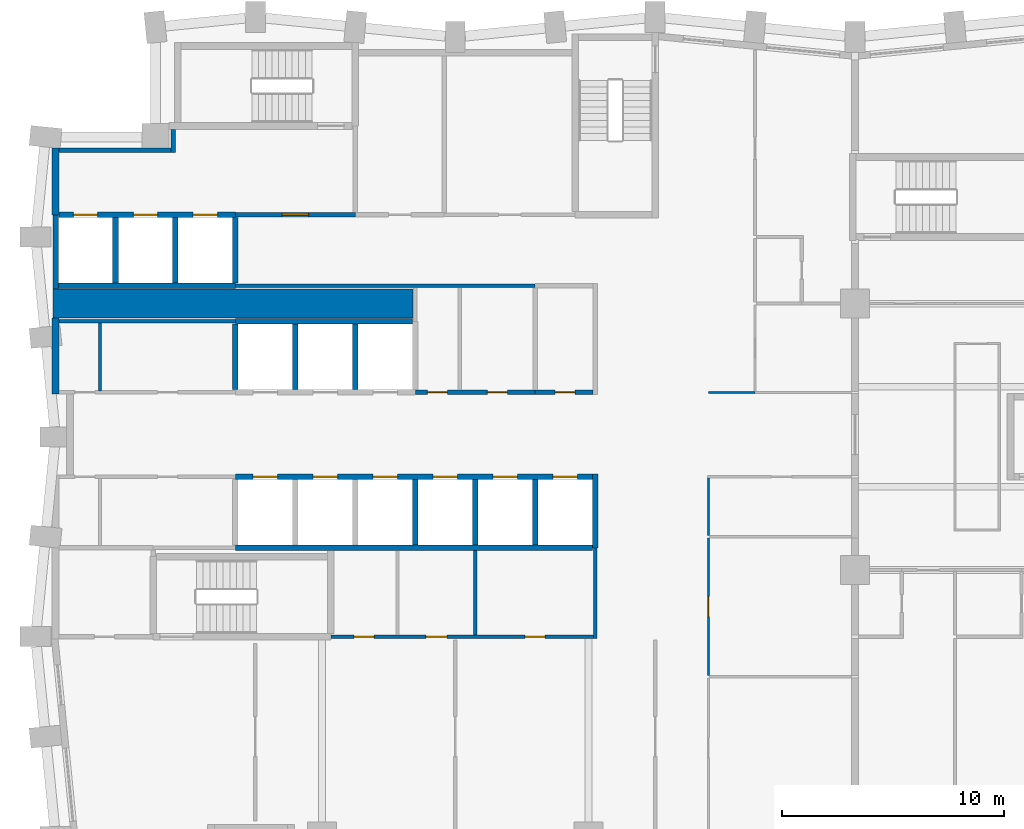
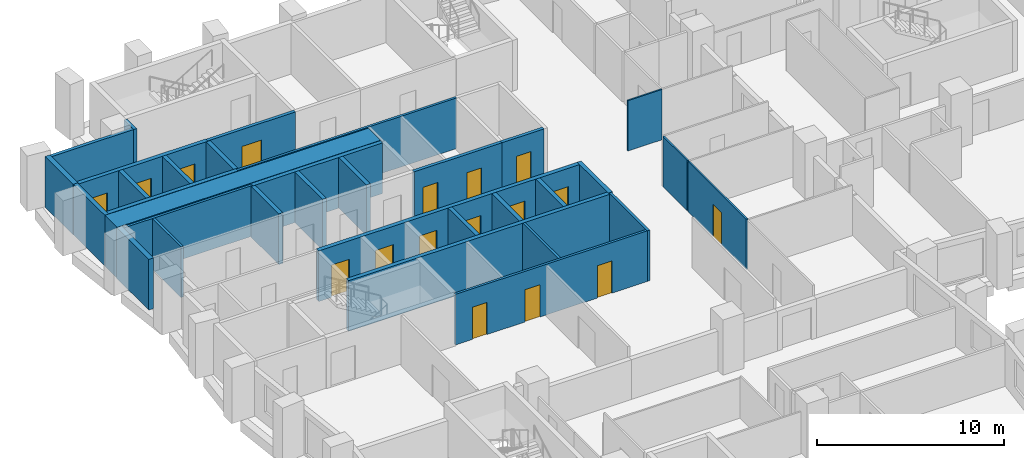
# One storey, part 6 of 13: 33 walls, 17 doors, 17 openings.
"""IFC4 building model written with IfcOpenShell, lengths in metres."""

from ifc_helpers import new_model, si_unit, direction, frame, frame_2d, origin, place, context, subcontext, project, spatial, rectangle, extrude, material, layer, layer_set, type_object, element, fill, save


model = new_model("IFC4")

# Units and contexts
model_context = context("Model", 3, precision=1e-05, world=origin(), true_north=direction((0.0, 1.0)))
body_context = subcontext(model_context, "Body", "Model", "MODEL_VIEW")
ifc_project = project(units=[si_unit("LENGTHUNIT", "METRE"), si_unit("AREAUNIT", "SQUARE_METRE"), si_unit("VOLUMEUNIT", "CUBIC_METRE"), si_unit("PLANEANGLEUNIT", "RADIAN"), si_unit("MASSUNIT", "GRAM", prefix="KILO")], contexts=[model_context])

# Site, building, storey
site_placement = place(None, origin())
site = spatial("IfcSite", under=ifc_project, at=site_placement, CompositionType="ELEMENT")
building_placement = place(site_placement, origin())
building = spatial("IfcBuilding", under=site, at=building_placement, Name="Brondeck Convention Tower", CompositionType="ELEMENT")
storey_placement = place(building_placement, frame((0.0, 0.0, 48.300048828125)))
storey = spatial("IfcBuildingStorey", under=building, at=storey_placement, Name="L09", CompositionType="ELEMENT", Elevation=48.300048828125)

# Wall, openings, doors
ifc_material_1 = material(Name="Concrete C80/95", Category="concrete")
ifc_layer_1 = layer(ifc_material_1, 0.14990234375)
ifc_layer_set_1 = layer_set([ifc_layer_1], Name="Core beam-seat wall 150 Concrete C80/95")
wall_type_1 = type_object("IfcWallType", Name="Core beam-seat wall 150 Concrete C80/95", PredefinedType="SHEAR", material=ifc_layer_set_1)
wall_1_placement = place(storey_placement, frame((12.39990234375, 36.0, 0.0), z_axis=(0.0, 0.0, 1.0), x_axis=(1.0, 0.0, 0.0)))
wall_1 = element("IfcWall", 1, at=wall_1_placement, inside=storey, type_object=wall_type_1, Name="L09 core wall", PredefinedType="SHEAR", context=body_context, shape_type="SweptSolid", body=[
    extrude(rectangle(XDim=11.8251953125, YDim=0.14990234375, at=frame_2d((5.91259765625, 0.0))), origin(), (0.0, 0.0, 1.0), 3.300048828125),
])
opening_1_placement = place(wall_1_placement, frame((1.050048828125, 0.0, 0.0)))
opening_1 = element("IfcOpeningElement", 2, at=opening_1_placement, cuts=wall_1, Name="Opening C09-03", PredefinedType="OPENING", context=body_context, shape_type="SweptSolid", body=[
    extrude(rectangle(XDim=0.89990234375, YDim=2.10009765625, at=frame_2d((0.449951171875, 1.050048828125))), frame((0.0, 0.0849609375, 0.0), z_axis=(0.0, -1.0, 0.0), x_axis=(1.0, 0.0, 0.0)), (0.0, 0.0, 1.0), 0.169921875),
])
opening_2_placement = place(wall_1_placement, frame((4.27490234375, 0.0, 0.0)))
opening_2 = element("IfcOpeningElement", 3, at=opening_2_placement, cuts=wall_1, Name="Opening C09-04", PredefinedType="OPENING", context=body_context, shape_type="SweptSolid", body=[
    extrude(rectangle(XDim=0.949951171875, YDim=2.10009765625, at=frame_2d((0.47509765625, 1.050048828125))), frame((0.0, 0.0849609375, 0.0), z_axis=(0.0, -1.0, 0.0), x_axis=(1.0, 0.0, 0.0)), (0.0, 0.0, 1.0), 0.169921875),
])
opening_3_placement = place(wall_1_placement, frame((8.75, 0.0, 0.0)))
opening_3 = element("IfcOpeningElement", 4, at=opening_3_placement, cuts=wall_1, Name="Opening C09-05", PredefinedType="OPENING", context=body_context, shape_type="SweptSolid", body=[
    extrude(rectangle(XDim=0.89990234375, YDim=2.10009765625, at=frame_2d((0.449951171875, 1.050048828125))), frame((0.0, 0.0849609375, 0.0), z_axis=(0.0, -1.0, 0.0), x_axis=(1.0, 0.0, 0.0)), (0.0, 0.0, 1.0), 0.169921875),
])
ifc_material_2 = material(Name="Steel fire door", Category="steel")
door_type_1 = type_object("IfcDoorType", Name="Room door 900x2100 EI 60", OperationType="NOTDEFINED", PredefinedType="DOOR", material=ifc_material_2)
door_1_placement = place(opening_1_placement, origin())
door_1 = element("IfcDoor", 5, at=door_1_placement, inside=storey, type_object=door_type_1, Name="L09 Room door FR-1", OperationType="SINGLE_SWING_RIGHT", OverallHeight=2.10009765625, OverallWidth=0.89990234375, PredefinedType="DOOR", context=body_context, shape_type="SweptSolid", body=[
    extrude(rectangle(XDim=0.89990234375, YDim=2.10009765625, at=frame_2d((0.449951171875, 1.050048828125))), frame((0.0, 0.02490234375, 0.0), z_axis=(0.0, -1.0, 0.0), x_axis=(1.0, 0.0, 0.0)), (0.0, 0.0, 1.0), 0.050048828125),
])
fill(opening_1, door_1)
door_2_placement = place(opening_3_placement, origin())
door_2 = element("IfcDoor", 6, at=door_2_placement, inside=storey, type_object=door_type_1, Name="L09 Room door FR-3", OperationType="SINGLE_SWING_RIGHT", OverallHeight=2.10009765625, OverallWidth=0.89990234375, PredefinedType="DOOR", context=body_context, shape_type="SweptSolid", body=[
    extrude(rectangle(XDim=0.89990234375, YDim=2.10009765625, at=frame_2d((0.449951171875, 1.050048828125))), frame((0.0, 0.02490234375, 0.0), z_axis=(0.0, -1.0, 0.0), x_axis=(1.0, 0.0, 0.0)), (0.0, 0.0, 1.0), 0.050048828125),
])
fill(opening_3, door_2)
door_type_2 = type_object("IfcDoorType", Name="Room door 950x2100 EI 60", OperationType="NOTDEFINED", PredefinedType="DOOR", material=ifc_material_2)
door_3_placement = place(opening_2_placement, origin())
door_3 = element("IfcDoor", 7, at=door_3_placement, inside=storey, type_object=door_type_2, Name="L09 Room door FR-2", OperationType="SINGLE_SWING_LEFT", OverallHeight=2.10009765625, OverallWidth=0.949951171875, PredefinedType="DOOR", context=body_context, shape_type="SweptSolid", body=[
    extrude(rectangle(XDim=0.949951171875, YDim=2.10009765625, at=frame_2d((0.47509765625, 1.050048828125))), frame((0.0, 0.02490234375, 0.0), z_axis=(0.0, -1.0, 0.0), x_axis=(1.0, 0.0, 0.0)), (0.0, 0.0, 1.0), 0.050048828125),
])
fill(opening_2, door_3)

# Walls
wall_2_placement = place(storey_placement, frame((24.300048828125, 35.925048828125, 0.0), z_axis=(0.0, 0.0, 1.0), x_axis=(0.0, 1.0, 0.0)))
element("IfcWall", 8, at=wall_2_placement, inside=storey, type_object=wall_type_1, Name="L09 core wall", PredefinedType="SHEAR", context=body_context, shape_type="SweptSolid", body=[
    extrude(rectangle(XDim=4.074951171875, YDim=0.14990234375, at=frame_2d((2.03759765625, 0.0))), origin(), (0.0, 0.0, 1.0), 3.300048828125),
])
ifc_layer_2 = layer(ifc_material_1, 0.300048828125)
ifc_layer_set_2 = layer_set([ifc_layer_2], Name="Core outer wall 300 Concrete C80/95")
wall_type_2 = type_object("IfcWallType", Name="Core outer wall 300 Concrete C80/95", PredefinedType="SHEAR", material=ifc_layer_set_2)
wall_3_placement = place(storey_placement, frame((0.0, 46.925048828125, 0.0), z_axis=(0.0, 0.0, 1.0), x_axis=(0.0, 1.0, 0.0)))
element("IfcWall", 9, at=wall_3_placement, inside=storey, type_object=wall_type_2, Name="L09 core wall", PredefinedType="SHEAR", context=body_context, shape_type="SweptSolid", body=[
    extrude(rectangle(XDim=3.425048828125, YDim=0.300048828125, at=frame_2d((1.71240234375, 0.0))), origin(), (0.0, 0.0, 1.0), 3.300048828125),
])
wall_4_placement = place(storey_placement, frame((0.0, 55.0, 0.0), z_axis=(0.0, 0.0, 1.0), x_axis=(0.0, 1.0, 0.0)))
element("IfcWall", 10, at=wall_4_placement, inside=storey, type_object=wall_type_2, Name="L09 core wall", PredefinedType="SHEAR", context=body_context, shape_type="SweptSolid", body=[
    extrude(rectangle(XDim=3.0, YDim=0.300048828125, at=frame_2d((1.5, 0.0))), origin(), (0.0, 0.0, 1.0), 3.300048828125),
])
ifc_material_3 = material(Name="Fire-rated gypsum board partition")
ifc_layer_3 = layer(ifc_material_3, 0.14990234375)
ifc_layer_set_3 = layer_set([ifc_layer_3], Name="Core partition 150 EI 60")
wall_type_3 = type_object("IfcWallType", Name="Core partition 150 EI 60", PredefinedType="PARTITIONING", material=ifc_layer_set_3)
wall_5_placement = place(storey_placement, frame((0.14990234375, 50.199951171875, 0.0), z_axis=(0.0, 0.0, 1.0), x_axis=(1.0, 0.0, 0.0)))
element("IfcWall", 11, at=wall_5_placement, inside=storey, type_object=wall_type_3, Name="L09 core wall", PredefinedType="PARTITIONING", context=body_context, shape_type="SweptSolid", body=[
    extrude(rectangle(XDim=7.9501953125, YDim=0.14990234375, at=frame_2d((3.97509765625, 0.0))), origin(), (0.0, 0.0, 1.0), 3.300048828125),
])
wall_6_placement = place(storey_placement, frame((8.10009765625, 51.800048828125, 0.0), z_axis=(0.0, 0.0, 1.0), x_axis=(1.0, 0.0, 0.0)))
element("IfcWall", 12, at=wall_6_placement, inside=storey, type_object=wall_type_3, Name="L09 core wall", PredefinedType="PARTITIONING", context=body_context, shape_type="SweptSolid", body=[
    extrude(rectangle(XDim=13.5, YDim=0.14990234375, at=frame_2d((6.75, 0.0))), origin(), (0.0, 0.0, 1.0), 3.300048828125),
])
wall_7_placement = place(storey_placement, frame((2.0, 47.074951171875, 0.0), z_axis=(0.0, 0.0, 1.0), x_axis=(0.0, 1.0, 0.0)))
element("IfcWall", 13, at=wall_7_placement, inside=storey, type_object=wall_type_3, Name="L09 core wall", PredefinedType="PARTITIONING", context=body_context, shape_type="SweptSolid", body=[
    extrude(rectangle(XDim=3.050048828125, YDim=0.14990234375, at=frame_2d((1.52490234375, 0.0))), origin(), (0.0, 0.0, 1.0), 3.300048828125),
])
wall_8_placement = place(storey_placement, frame((18.89990234375, 36.074951171875, 0.0), z_axis=(0.0, 0.0, 1.0), x_axis=(0.0, 1.0, 0.0)))
element("IfcWall", 14, at=wall_8_placement, inside=storey, type_object=wall_type_3, Name="L09 core wall", PredefinedType="PARTITIONING", context=body_context, shape_type="SweptSolid", body=[
    extrude(rectangle(XDim=3.800048828125, YDim=0.14990234375, at=frame_2d((1.89990234375, 0.0))), origin(), (0.0, 0.0, 1.0), 3.300048828125),
])
ifc_layer_4 = layer(ifc_material_1, 1.300048828125)
ifc_layer_set_4 = layer_set([ifc_layer_4], Name="Core shear wall 1300 Concrete C80/95")
wall_type_4 = type_object("IfcWallType", Name="Core shear wall 1300 Concrete C80/95", PredefinedType="SHEAR", material=ifc_layer_set_4)
wall_9_placement = place(storey_placement, frame((-0.125, 51.0, 0.0), z_axis=(0.0, 0.0, 1.0), x_axis=(1.0, 0.0, 0.0)))
element("IfcWall", 15, at=wall_9_placement, inside=storey, type_object=wall_type_4, Name="L09 core wall", PredefinedType="SHEAR", context=body_context, shape_type="SweptSolid", body=[
    extrude(rectangle(XDim=16.22509765625, YDim=1.300048828125, at=frame_2d((8.112548828125, 0.0))), origin(), (0.0, 0.0, 1.0), 3.300048828125),
])

# Wall, opening, door
ifc_layer_5 = layer(ifc_material_3, 0.199951171875)
ifc_layer_set_5 = layer_set([ifc_layer_5], Name="Firefighting lobby wall 200 EI 120")
wall_type_5 = type_object("IfcWallType", Name="Firefighting lobby wall 200 EI 120", PredefinedType="PARTITIONING", material=ifc_layer_set_5)
wall_10_placement = place(storey_placement, frame((8.10009765625, 55.0, 0.0), z_axis=(0.0, 0.0, 1.0), x_axis=(1.0, 0.0, 0.0)))
wall_10 = element("IfcWall", 16, at=wall_10_placement, inside=storey, type_object=wall_type_5, Name="L09 core wall", PredefinedType="PARTITIONING", context=body_context, shape_type="SweptSolid", body=[
    extrude(rectangle(XDim=5.39990234375, YDim=0.199951171875, at=frame_2d((2.699951171875, 0.0))), origin(), (0.0, 0.0, 1.0), 3.300048828125),
])
opening_4_placement = place(wall_10_placement, frame((2.10009765625, 0.0, 0.0)))
opening_4 = element("IfcOpeningElement", 17, at=opening_4_placement, cuts=wall_10, Name="Opening C09-01", PredefinedType="OPENING", context=body_context, shape_type="SweptSolid", body=[
    extrude(rectangle(XDim=1.199951171875, YDim=2.199951171875, at=frame_2d((0.60009765625, 1.10009765625))), frame((0.0, 0.10986328125, 0.0), z_axis=(0.0, -1.0, 0.0), x_axis=(1.0, 0.0, 0.0)), (0.0, 0.0, 1.0), 0.219970703125),
])
door_type_3 = type_object("IfcDoorType", Name="Firefighting lobby door 1200x2200 EI 120", OperationType="NOTDEFINED", PredefinedType="DOOR", material=ifc_material_2)
door_4_placement = place(opening_4_placement, origin())
door_4 = element("IfcDoor", 18, at=door_4_placement, inside=storey, type_object=door_type_3, Name="L09 Firefighting lobby door FFL-1", OperationType="SINGLE_SWING_RIGHT", OverallHeight=2.199951171875, OverallWidth=1.199951171875, PredefinedType="DOOR", context=body_context, shape_type="SweptSolid", body=[
    extrude(rectangle(XDim=1.199951171875, YDim=2.199951171875, at=frame_2d((0.60009765625, 1.10009765625))), frame((0.0, 0.02490234375, 0.0), z_axis=(0.0, -1.0, 0.0), x_axis=(1.0, 0.0, 0.0)), (0.0, 0.0, 1.0), 0.050048828125),
])
fill(opening_4, door_4)

# Walls
wall_11_placement = place(storey_placement, frame((0.14990234375, 57.89990234375, 0.0), z_axis=(0.0, 0.0, 1.0), x_axis=(1.0, 0.0, 0.0)))
element("IfcWall", 19, at=wall_11_placement, inside=storey, type_object=wall_type_5, Name="L09 core wall", PredefinedType="PARTITIONING", context=body_context, shape_type="SweptSolid", body=[
    extrude(rectangle(XDim=5.050048828125, YDim=0.199951171875, at=frame_2d((2.52490234375, 0.0))), origin(), (0.0, 0.0, 1.0), 3.300048828125),
])
wall_12_placement = place(storey_placement, frame((5.300048828125, 57.800048828125, 0.0), z_axis=(0.0, 0.0, 1.0), x_axis=(0.0, 1.0, 0.0)))
element("IfcWall", 20, at=wall_12_placement, inside=storey, type_object=wall_type_5, Name="L09 core wall", PredefinedType="PARTITIONING", context=body_context, shape_type="SweptSolid", body=[
    extrude(rectangle(XDim=1.050048828125, YDim=0.199951171875, at=frame_2d((0.52490234375, 0.0))), origin(), (0.0, 0.0, 1.0), 3.300048828125),
])

# Wall, openings, doors
ifc_layer_6 = layer(ifc_material_3, 0.199951171875)
ifc_layer_set_6 = layer_set([ifc_layer_6], Name="Lift lobby wall 200 EI 60")
wall_type_6 = type_object("IfcWallType", Name="Lift lobby wall 200 EI 60", PredefinedType="PARTITIONING", material=ifc_layer_set_6)
wall_13_placement = place(storey_placement, frame((16.199951171875, 47.0, 0.0), z_axis=(0.0, 0.0, 1.0), x_axis=(1.0, 0.0, 0.0)))
wall_13 = element("IfcWall", 21, at=wall_13_placement, inside=storey, type_object=wall_type_6, Name="L09 core wall", PredefinedType="PARTITIONING", context=body_context, shape_type="SweptSolid", body=[
    extrude(rectangle(XDim=5.400146484375, YDim=0.199951171875, at=frame_2d((2.7001953125, 0.0))), origin(), (0.0, 0.0, 1.0), 3.300048828125),
])
opening_5_placement = place(wall_13_placement, frame((0.550048828125, 0.0, 0.0)))
opening_5 = element("IfcOpeningElement", 22, at=opening_5_placement, cuts=wall_13, Name="Opening C09-09", PredefinedType="OPENING", context=body_context, shape_type="SweptSolid", body=[
    extrude(rectangle(XDim=0.89990234375, YDim=2.10009765625, at=frame_2d((0.449951171875, 1.050048828125))), frame((0.0, 0.10986328125, 0.0), z_axis=(0.0, -1.0, 0.0), x_axis=(1.0, 0.0, 0.0)), (0.0, 0.0, 1.0), 0.219970703125),
])
opening_6_placement = place(wall_13_placement, frame((3.25, 0.0, 0.0)))
opening_6 = element("IfcOpeningElement", 23, at=opening_6_placement, cuts=wall_13, Name="Opening C09-10", PredefinedType="OPENING", context=body_context, shape_type="SweptSolid", body=[
    extrude(rectangle(XDim=0.89990234375, YDim=2.10009765625, at=frame_2d((0.449951171875, 1.050048828125))), frame((0.0, 0.10986328125, 0.0), z_axis=(0.0, -1.0, 0.0), x_axis=(1.0, 0.0, 0.0)), (0.0, 0.0, 1.0), 0.219970703125),
])
door_5_placement = place(opening_5_placement, origin())
door_5 = element("IfcDoor", 24, at=door_5_placement, inside=storey, type_object=door_type_1, Name="L09 Room door FZ-N-16.2-1", OperationType="SINGLE_SWING_LEFT", OverallHeight=2.10009765625, OverallWidth=0.89990234375, PredefinedType="DOOR", context=body_context, shape_type="SweptSolid", body=[
    extrude(rectangle(XDim=0.89990234375, YDim=2.10009765625, at=frame_2d((0.449951171875, 1.050048828125))), frame((0.0, 0.02490234375, 0.0), z_axis=(0.0, -1.0, 0.0), x_axis=(1.0, 0.0, 0.0)), (0.0, 0.0, 1.0), 0.050048828125),
])
fill(opening_5, door_5)
door_6_placement = place(opening_6_placement, origin())
door_6 = element("IfcDoor", 25, at=door_6_placement, inside=storey, type_object=door_type_1, Name="L09 Room door FZ-N-16.2-2", OperationType="SINGLE_SWING_RIGHT", OverallHeight=2.10009765625, OverallWidth=0.89990234375, PredefinedType="DOOR", context=body_context, shape_type="SweptSolid", body=[
    extrude(rectangle(XDim=0.89990234375, YDim=2.10009765625, at=frame_2d((0.449951171875, 1.050048828125))), frame((0.0, 0.02490234375, 0.0), z_axis=(0.0, -1.0, 0.0), x_axis=(1.0, 0.0, 0.0)), (0.0, 0.0, 1.0), 0.050048828125),
])
fill(opening_6, door_6)

# Wall
ifc_layer_7 = layer(ifc_material_1, 0.25)
ifc_layer_set_7 = layer_set([ifc_layer_7], Name="Lift shaft wall 250 Concrete C80/95")
wall_type_7 = type_object("IfcWallType", Name="Lift shaft wall 250 Concrete C80/95", PredefinedType="SHEAR", material=ifc_layer_set_7)
wall_14_placement = place(storey_placement, frame((8.10009765625, 40.0, 0.0), z_axis=(0.0, 0.0, 1.0), x_axis=(1.0, 0.0, 0.0)))
element("IfcWall", 26, at=wall_14_placement, inside=storey, type_object=wall_type_7, Name="L09 core wall", PredefinedType="SHEAR", context=body_context, shape_type="SweptSolid", body=[
    extrude(rectangle(XDim=16.074951171875, YDim=0.25, at=frame_2d((8.03759765625, 0.0))), origin(), (0.0, 0.0, 1.0), 3.300048828125),
])

# Wall, openings, doors
wall_15_placement = place(storey_placement, frame((8.10009765625, 43.199951171875, 0.0), z_axis=(0.0, 0.0, 1.0), x_axis=(1.0, 0.0, 0.0)))
wall_15 = element("IfcWall", 27, at=wall_15_placement, inside=storey, type_object=wall_type_7, Name="L09 core wall", PredefinedType="SHEAR", context=body_context, shape_type="SweptSolid", body=[
    extrude(rectangle(XDim=16.074951171875, YDim=0.25, at=frame_2d((8.03759765625, 0.0))), origin(), (0.0, 0.0, 1.0), 3.300048828125),
])
opening_7_placement = place(wall_15_placement, frame((14.300048828125, 0.0, 0.0)))
opening_7 = element("IfcOpeningElement", 28, at=opening_7_placement, cuts=wall_15, Name="Opening C09-25", PredefinedType="OPENING", context=body_context, shape_type="SweptSolid", body=[
    extrude(rectangle(XDim=1.10009765625, YDim=2.10009765625, at=frame_2d((0.550048828125, 1.050048828125))), frame((0.0, 0.135009765625, 0.0), z_axis=(0.0, -1.0, 0.0), x_axis=(1.0, 0.0, 0.0)), (0.0, 0.0, 1.0), 0.27001953125),
])
opening_8_placement = place(wall_15_placement, frame((0.800048828125, 0.0, 0.0)))
opening_8 = element("IfcOpeningElement", 29, at=opening_8_placement, cuts=wall_15, Name="Opening C09-26", PredefinedType="OPENING", context=body_context, shape_type="SweptSolid", body=[
    extrude(rectangle(XDim=1.10009765625, YDim=2.10009765625, at=frame_2d((0.550048828125, 1.050048828125))), frame((0.0, 0.135009765625, 0.0), z_axis=(0.0, -1.0, 0.0), x_axis=(1.0, 0.0, 0.0)), (0.0, 0.0, 1.0), 0.27001953125),
])
opening_9_placement = place(wall_15_placement, frame((3.5, 0.0, 0.0)))
opening_9 = element("IfcOpeningElement", 30, at=opening_9_placement, cuts=wall_15, Name="Opening C09-27", PredefinedType="OPENING", context=body_context, shape_type="SweptSolid", body=[
    extrude(rectangle(XDim=1.10009765625, YDim=2.10009765625, at=frame_2d((0.550048828125, 1.050048828125))), frame((0.0, 0.135009765625, 0.0), z_axis=(0.0, -1.0, 0.0), x_axis=(1.0, 0.0, 0.0)), (0.0, 0.0, 1.0), 0.27001953125),
])
opening_10_placement = place(wall_15_placement, frame((6.199951171875, 0.0, 0.0)))
opening_10 = element("IfcOpeningElement", 31, at=opening_10_placement, cuts=wall_15, Name="Opening C09-28", PredefinedType="OPENING", context=body_context, shape_type="SweptSolid", body=[
    extrude(rectangle(XDim=1.10009765625, YDim=2.10009765625, at=frame_2d((0.550048828125, 1.050048828125))), frame((0.0, 0.135009765625, 0.0), z_axis=(0.0, -1.0, 0.0), x_axis=(1.0, 0.0, 0.0)), (0.0, 0.0, 1.0), 0.27001953125),
])
opening_11_placement = place(wall_15_placement, frame((8.89990234375, 0.0, 0.0)))
opening_11 = element("IfcOpeningElement", 32, at=opening_11_placement, cuts=wall_15, Name="Opening C09-32", PredefinedType="OPENING", context=body_context, shape_type="SweptSolid", body=[
    extrude(rectangle(XDim=1.10009765625, YDim=2.10009765625, at=frame_2d((0.550048828125, 1.050048828125))), frame((0.0, 0.135009765625, 0.0), z_axis=(0.0, -1.0, 0.0), x_axis=(1.0, 0.0, 0.0)), (0.0, 0.0, 1.0), 0.27001953125),
])
opening_12_placement = place(wall_15_placement, frame((11.60009765625, 0.0, 0.0)))
opening_12 = element("IfcOpeningElement", 33, at=opening_12_placement, cuts=wall_15, Name="Opening C09-33", PredefinedType="OPENING", context=body_context, shape_type="SweptSolid", body=[
    extrude(rectangle(XDim=1.10009765625, YDim=2.10009765625, at=frame_2d((0.550048828125, 1.050048828125))), frame((0.0, 0.135009765625, 0.0), z_axis=(0.0, -1.0, 0.0), x_axis=(1.0, 0.0, 0.0)), (0.0, 0.0, 1.0), 0.27001953125),
])
ifc_material_4 = material(Name="Stainless steel lift door", Category="steel")
door_type_4 = type_object("IfcDoorType", Name="Lift landing door 1100x2100 EI 180", OperationType="DOUBLE_DOOR_SLIDING", PredefinedType="DOOR", material=ifc_material_4)
door_7_placement = place(opening_7_placement, origin())
door_7 = element("IfcDoor", 34, at=door_7_placement, inside=storey, type_object=door_type_4, Name="L09 Lift landing door HS1", OperationType="DOUBLE_DOOR_SLIDING", OverallHeight=2.10009765625, OverallWidth=1.10009765625, PredefinedType="DOOR", context=body_context, shape_type="SweptSolid", body=[
    extrude(rectangle(XDim=1.10009765625, YDim=2.10009765625, at=frame_2d((0.550048828125, 1.050048828125))), frame((0.0, 0.02490234375, 0.0), z_axis=(0.0, -1.0, 0.0), x_axis=(1.0, 0.0, 0.0)), (0.0, 0.0, 1.0), 0.050048828125),
])
fill(opening_7, door_7)
door_8_placement = place(opening_8_placement, origin())
door_8 = element("IfcDoor", 35, at=door_8_placement, inside=storey, type_object=door_type_4, Name="L09 Lift landing door LR1", OperationType="DOUBLE_DOOR_SLIDING", OverallHeight=2.10009765625, OverallWidth=1.10009765625, PredefinedType="DOOR", context=body_context, shape_type="SweptSolid", body=[
    extrude(rectangle(XDim=1.10009765625, YDim=2.10009765625, at=frame_2d((0.550048828125, 1.050048828125))), frame((0.0, 0.02490234375, 0.0), z_axis=(0.0, -1.0, 0.0), x_axis=(1.0, 0.0, 0.0)), (0.0, 0.0, 1.0), 0.050048828125),
])
fill(opening_8, door_8)
door_9_placement = place(opening_9_placement, origin())
door_9 = element("IfcDoor", 36, at=door_9_placement, inside=storey, type_object=door_type_4, Name="L09 Lift landing door LR2", OperationType="DOUBLE_DOOR_SLIDING", OverallHeight=2.10009765625, OverallWidth=1.10009765625, PredefinedType="DOOR", context=body_context, shape_type="SweptSolid", body=[
    extrude(rectangle(XDim=1.10009765625, YDim=2.10009765625, at=frame_2d((0.550048828125, 1.050048828125))), frame((0.0, 0.02490234375, 0.0), z_axis=(0.0, -1.0, 0.0), x_axis=(1.0, 0.0, 0.0)), (0.0, 0.0, 1.0), 0.050048828125),
])
fill(opening_9, door_9)
door_10_placement = place(opening_10_placement, origin())
door_10 = element("IfcDoor", 37, at=door_10_placement, inside=storey, type_object=door_type_4, Name="L09 Lift landing door LR3", OperationType="DOUBLE_DOOR_SLIDING", OverallHeight=2.10009765625, OverallWidth=1.10009765625, PredefinedType="DOOR", context=body_context, shape_type="SweptSolid", body=[
    extrude(rectangle(XDim=1.10009765625, YDim=2.10009765625, at=frame_2d((0.550048828125, 1.050048828125))), frame((0.0, 0.02490234375, 0.0), z_axis=(0.0, -1.0, 0.0), x_axis=(1.0, 0.0, 0.0)), (0.0, 0.0, 1.0), 0.050048828125),
])
fill(opening_10, door_10)
door_11_placement = place(opening_11_placement, origin())
door_11 = element("IfcDoor", 38, at=door_11_placement, inside=storey, type_object=door_type_4, Name="L09 Lift landing door SH1", OperationType="DOUBLE_DOOR_SLIDING", OverallHeight=2.10009765625, OverallWidth=1.10009765625, PredefinedType="DOOR", context=body_context, shape_type="SweptSolid", body=[
    extrude(rectangle(XDim=1.10009765625, YDim=2.10009765625, at=frame_2d((0.550048828125, 1.050048828125))), frame((0.0, 0.02490234375, 0.0), z_axis=(0.0, -1.0, 0.0), x_axis=(1.0, 0.0, 0.0)), (0.0, 0.0, 1.0), 0.050048828125),
])
fill(opening_11, door_11)
door_12_placement = place(opening_12_placement, origin())
door_12 = element("IfcDoor", 39, at=door_12_placement, inside=storey, type_object=door_type_4, Name="L09 Lift landing door SH2", OperationType="DOUBLE_DOOR_SLIDING", OverallHeight=2.10009765625, OverallWidth=1.10009765625, PredefinedType="DOOR", context=body_context, shape_type="SweptSolid", body=[
    extrude(rectangle(XDim=1.10009765625, YDim=2.10009765625, at=frame_2d((0.550048828125, 1.050048828125))), frame((0.0, 0.02490234375, 0.0), z_axis=(0.0, -1.0, 0.0), x_axis=(1.0, 0.0, 0.0)), (0.0, 0.0, 1.0), 0.050048828125),
])
fill(opening_12, door_12)

# Walls
wall_16_placement = place(storey_placement, frame((8.10009765625, 50.199951171875, 0.0), z_axis=(0.0, 0.0, 1.0), x_axis=(1.0, 0.0, 0.0)))
element("IfcWall", 40, at=wall_16_placement, inside=storey, type_object=wall_type_7, Name="L09 core wall", PredefinedType="SHEAR", context=body_context, shape_type="SweptSolid", body=[
    extrude(rectangle(XDim=7.974853515625, YDim=0.25, at=frame_2d((3.9873046875, 0.0))), origin(), (0.0, 0.0, 1.0), 3.300048828125),
])
wall_17_placement = place(storey_placement, frame((0.125, 51.800048828125, 0.0), z_axis=(0.0, 0.0, 1.0), x_axis=(1.0, 0.0, 0.0)))
element("IfcWall", 41, at=wall_17_placement, inside=storey, type_object=wall_type_7, Name="L09 core wall", PredefinedType="SHEAR", context=body_context, shape_type="SweptSolid", body=[
    extrude(rectangle(XDim=7.97509765625, YDim=0.25, at=frame_2d((3.987548828125, 0.0))), origin(), (0.0, 0.0, 1.0), 3.300048828125),
])

# Wall, openings, doors
wall_18_placement = place(storey_placement, frame((0.14990234375, 55.0, 0.0), z_axis=(0.0, 0.0, 1.0), x_axis=(1.0, 0.0, 0.0)))
wall_18 = element("IfcWall", 42, at=wall_18_placement, inside=storey, type_object=wall_type_7, Name="L09 core wall", PredefinedType="SHEAR", context=body_context, shape_type="SweptSolid", body=[
    extrude(rectangle(XDim=7.9501953125, YDim=0.25, at=frame_2d((3.97509765625, 0.0))), origin(), (0.0, 0.0, 1.0), 3.300048828125),
])
opening_13_placement = place(wall_18_placement, frame((0.64990234375, 0.0, 0.0)))
opening_13 = element("IfcOpeningElement", 43, at=opening_13_placement, cuts=wall_18, Name="Opening C09-22", PredefinedType="OPENING", context=body_context, shape_type="SweptSolid", body=[
    extrude(rectangle(XDim=1.10009765625, YDim=2.10009765625, at=frame_2d((0.550048828125, 1.050048828125))), frame((0.0, 0.135009765625, 0.0), z_axis=(0.0, -1.0, 0.0), x_axis=(1.0, 0.0, 0.0)), (0.0, 0.0, 1.0), 0.27001953125),
])
opening_14_placement = place(wall_18_placement, frame((3.35009765625, 0.0, 0.0)))
opening_14 = element("IfcOpeningElement", 44, at=opening_14_placement, cuts=wall_18, Name="Opening C09-23", PredefinedType="OPENING", context=body_context, shape_type="SweptSolid", body=[
    extrude(rectangle(XDim=1.10009765625, YDim=2.10009765625, at=frame_2d((0.550048828125, 1.050048828125))), frame((0.0, 0.135009765625, 0.0), z_axis=(0.0, -1.0, 0.0), x_axis=(1.0, 0.0, 0.0)), (0.0, 0.0, 1.0), 0.27001953125),
])
opening_15_placement = place(wall_18_placement, frame((6.050048828125, 0.0, 0.0)))
opening_15 = element("IfcOpeningElement", 45, at=opening_15_placement, cuts=wall_18, Name="Opening C09-24", PredefinedType="OPENING", context=body_context, shape_type="SweptSolid", body=[
    extrude(rectangle(XDim=1.10009765625, YDim=2.10009765625, at=frame_2d((0.550048828125, 1.050048828125))), frame((0.0, 0.135009765625, 0.0), z_axis=(0.0, -1.0, 0.0), x_axis=(1.0, 0.0, 0.0)), (0.0, 0.0, 1.0), 0.27001953125),
])
door_13_placement = place(opening_13_placement, origin())
door_13 = element("IfcDoor", 46, at=door_13_placement, inside=storey, type_object=door_type_4, Name="L09 Lift landing door FF1", OperationType="DOUBLE_DOOR_SLIDING", OverallHeight=2.10009765625, OverallWidth=1.10009765625, PredefinedType="DOOR", context=body_context, shape_type="SweptSolid", body=[
    extrude(rectangle(XDim=1.10009765625, YDim=2.10009765625, at=frame_2d((0.550048828125, 1.050048828125))), frame((0.0, 0.02490234375, 0.0), z_axis=(0.0, -1.0, 0.0), x_axis=(1.0, 0.0, 0.0)), (0.0, 0.0, 1.0), 0.050048828125),
])
fill(opening_13, door_13)
door_14_placement = place(opening_14_placement, origin())
door_14 = element("IfcDoor", 47, at=door_14_placement, inside=storey, type_object=door_type_4, Name="L09 Lift landing door FF2", OperationType="DOUBLE_DOOR_SLIDING", OverallHeight=2.10009765625, OverallWidth=1.10009765625, PredefinedType="DOOR", context=body_context, shape_type="SweptSolid", body=[
    extrude(rectangle(XDim=1.10009765625, YDim=2.10009765625, at=frame_2d((0.550048828125, 1.050048828125))), frame((0.0, 0.02490234375, 0.0), z_axis=(0.0, -1.0, 0.0), x_axis=(1.0, 0.0, 0.0)), (0.0, 0.0, 1.0), 0.050048828125),
])
fill(opening_14, door_14)
door_15_placement = place(opening_15_placement, origin())
door_15 = element("IfcDoor", 48, at=door_15_placement, inside=storey, type_object=door_type_4, Name="L09 Lift landing door FF3", OperationType="DOUBLE_DOOR_SLIDING", OverallHeight=2.10009765625, OverallWidth=1.10009765625, PredefinedType="DOOR", context=body_context, shape_type="SweptSolid", body=[
    extrude(rectangle(XDim=1.10009765625, YDim=2.10009765625, at=frame_2d((0.550048828125, 1.050048828125))), frame((0.0, 0.02490234375, 0.0), z_axis=(0.0, -1.0, 0.0), x_axis=(1.0, 0.0, 0.0)), (0.0, 0.0, 1.0), 0.050048828125),
])
fill(opening_15, door_15)

# Walls
wall_19_placement = place(storey_placement, frame((0.0, 51.64990234375, 0.0), z_axis=(0.0, 0.0, 1.0), x_axis=(0.0, 1.0, 0.0)))
element("IfcWall", 49, at=wall_19_placement, inside=storey, type_object=wall_type_7, Name="L09 core wall", PredefinedType="SHEAR", context=body_context, shape_type="SweptSolid", body=[
    extrude(rectangle(XDim=3.35009765625, YDim=0.25, at=frame_2d((1.675048828125, 0.0))), origin(), (0.0, 0.0, 1.0), 3.300048828125),
])
for number, where, z_axis, x_axis, name in (
    (50, (2.699951171875, 51.925048828125, 0.0), (0.0, 0.0, 1.0), (0.0, 1.0, 0.0), "L09 core wall"),
    (51, (5.39990234375, 51.925048828125, 0.0), (0.0, 0.0, 1.0), (0.0, 1.0, 0.0), "L09 core wall"),
    (52, (8.10009765625, 47.125, 0.0), (0.0, 0.0, 1.0), (0.0, 1.0, 0.0), "L09 core wall"),
    (53, (8.10009765625, 51.925048828125, 0.0), (0.0, 0.0, 1.0), (0.0, 1.0, 0.0), "L09 core wall"),
    (54, (10.800048828125, 47.125, 0.0), (0.0, 0.0, 1.0), (0.0, 1.0, 0.0), "L09 core wall"),
    (55, (13.5, 47.125, 0.0), (0.0, 0.0, 1.0), (0.0, 1.0, 0.0), "L09 core wall"),
    (56, (16.199951171875, 40.125, 0.0), (0.0, 0.0, 1.0), (0.0, 1.0, 0.0), "L09 core wall"),
    (57, (18.89990234375, 40.125, 0.0), (0.0, 0.0, 1.0), (0.0, 1.0, 0.0), "L09 core wall"),
    (58, (21.60009765625, 40.125, 0.0), (0.0, 0.0, 1.0), (0.0, 1.0, 0.0), "L09 core wall"),
):
    element("IfcWall", number, at=place(storey_placement, frame(where, z_axis=z_axis, x_axis=x_axis)), inside=storey, type_object=wall_type_7, Name=name, PredefinedType="SHEAR", context=body_context, shape_type="SweptSolid", body=[
        extrude(rectangle(XDim=2.949951171875, YDim=0.25, at=frame_2d((1.47509765625, 0.0))), origin(), (0.0, 0.0, 1.0), 3.300048828125),
    ])
wall_20_placement = place(storey_placement, frame((24.300048828125, 40.0, 0.0), z_axis=(0.0, 0.0, 1.0), x_axis=(0.0, 1.0, 0.0)))
element("IfcWall", 59, at=wall_20_placement, inside=storey, type_object=wall_type_7, Name="L09 core wall", PredefinedType="SHEAR", context=body_context, shape_type="SweptSolid", body=[
    extrude(rectangle(XDim=3.324951171875, YDim=0.25, at=frame_2d((1.66259765625, 0.0))), origin(), (0.0, 0.0, 1.0), 3.300048828125),
])

# Wall, opening, door
ifc_layer_8 = layer(ifc_material_3, 0.199951171875)
ifc_layer_set_8 = layer_set([ifc_layer_8], Name="Riser wall 200 EI 120")
wall_type_8 = type_object("IfcWallType", Name="Riser wall 200 EI 120", PredefinedType="PARTITIONING", material=ifc_layer_set_8)
wall_21_placement = place(storey_placement, frame((21.60009765625, 47.0, 0.0), z_axis=(0.0, 0.0, 1.0), x_axis=(1.0, 0.0, 0.0)))
wall_21 = element("IfcWall", 60, at=wall_21_placement, inside=storey, type_object=wall_type_8, Name="L09 core wall", PredefinedType="PARTITIONING", context=body_context, shape_type="SweptSolid", body=[
    extrude(rectangle(XDim=2.599853515625, YDim=0.199951171875, at=frame_2d((1.2998046875, 0.0))), origin(), (0.0, 0.0, 1.0), 3.300048828125),
])
opening_16_placement = place(wall_21_placement, frame((0.89990234375, 0.0, 0.0)))
opening_16 = element("IfcOpeningElement", 61, at=opening_16_placement, cuts=wall_21, Name="Opening C09-02", PredefinedType="OPENING", context=body_context, shape_type="SweptSolid", body=[
    extrude(rectangle(XDim=0.89990234375, YDim=2.10009765625, at=frame_2d((0.449951171875, 1.050048828125))), frame((0.0, 0.10986328125, 0.0), z_axis=(0.0, -1.0, 0.0), x_axis=(1.0, 0.0, 0.0)), (0.0, 0.0, 1.0), 0.219970703125),
])
door_type_5 = type_object("IfcDoorType", Name="Riser door 900x2100 EI 120", OperationType="NOTDEFINED", PredefinedType="DOOR", material=ifc_material_2)
door_16_placement = place(opening_16_placement, origin())
door_16 = element("IfcDoor", 62, at=door_16_placement, inside=storey, type_object=door_type_5, Name="L09 Riser door EN-1", OperationType="SINGLE_SWING_LEFT", OverallHeight=2.10009765625, OverallWidth=0.89990234375, PredefinedType="DOOR", context=body_context, shape_type="SweptSolid", body=[
    extrude(rectangle(XDim=0.89990234375, YDim=2.10009765625, at=frame_2d((0.449951171875, 1.050048828125))), frame((0.0, 0.02490234375, 0.0), z_axis=(0.0, -1.0, 0.0), x_axis=(1.0, 0.0, 0.0)), (0.0, 0.0, 1.0), 0.050048828125),
])
fill(opening_16, door_16)

ifc_material_5 = material(Name="Gypsum board partition on steel studs", Category="steel")
ifc_layer_9 = layer(ifc_material_5, 0.10009765625)
ifc_layer_set_9 = layer_set([ifc_layer_9], Name="Room partition 100")
wall_type_9 = type_object("IfcWallType", Name="Room partition 100", PredefinedType="PARTITIONING", material=ifc_layer_set_9)
wall_22_placement = place(storey_placement, frame((29.39990234375, 40.449951171875, 0.0), z_axis=(0.0, 0.0, 1.0), x_axis=(0.0, -1.0, 0.0)))
wall_22 = element("IfcWall", 63, at=wall_22_placement, inside=storey, type_object=wall_type_9, Name="FLR-L09-W078", PredefinedType="PARTITIONING", context=body_context, shape_type="SweptSolid", body=[
    extrude(rectangle(XDim=6.199951171875, YDim=0.10009765625, at=frame_2d((3.10009765625, 0.0))), origin(), (0.0, 0.0, 1.0), 3.280029296875),
])
opening_17_placement = place(wall_22_placement, frame((2.64990234375, 0.0, 0.0)))
opening_17 = element("IfcOpeningElement", 64, at=opening_17_placement, cuts=wall_22, Name="Opening H2-037", PredefinedType="OPENING", context=body_context, shape_type="SweptSolid", body=[
    extrude(rectangle(XDim=0.89990234375, YDim=2.10009765625, at=frame_2d((0.449951171875, 1.050048828125))), frame((0.0, 0.06005859375, 0.0), z_axis=(0.0, -1.0, 0.0), x_axis=(1.0, 0.0, 0.0)), (0.0, 0.0, 1.0), 0.1201171875),
])
ifc_material_6 = material(Name="Solid timber door leaf", Category="wood")
door_type_6 = type_object("IfcDoorType", Name="Single door 900", OperationType="NOTDEFINED", PredefinedType="DOOR", material=ifc_material_6)
door_17_placement = place(opening_17_placement, origin())
door_17 = element("IfcDoor", 65, at=door_17_placement, inside=storey, type_object=door_type_6, Name="Door H2-037", OperationType="SINGLE_SWING_LEFT", OverallHeight=2.10009765625, OverallWidth=0.89990234375, PredefinedType="DOOR", context=body_context, shape_type="SweptSolid", body=[
    extrude(rectangle(XDim=0.89990234375, YDim=2.10009765625, at=frame_2d((0.449951171875, 1.050048828125))), frame((0.0, 0.02490234375, 0.0), z_axis=(0.0, -1.0, 0.0), x_axis=(1.0, 0.0, 0.0)), (0.0, 0.0, 1.0), 0.050048828125),
])
fill(opening_17, door_17)

# Walls
wall_23_placement = place(storey_placement, frame((29.39990234375, 43.14990234375, 0.0), z_axis=(0.0, 0.0, 1.0), x_axis=(0.0, -1.0, 0.0)))
element("IfcWall", 66, at=wall_23_placement, inside=storey, type_object=wall_type_9, Name="FLR-L09-W085", PredefinedType="PARTITIONING", context=body_context, shape_type="SweptSolid", body=[
    extrude(rectangle(XDim=2.599853515625, YDim=0.10009765625, at=frame_2d((1.2998046875, 0.0))), origin(), (0.0, 0.0, 1.0), 3.280029296875),
])
wall_24_placement = place(storey_placement, frame((29.39990234375, 47.0, 0.0), z_axis=(0.0, 0.0, 1.0), x_axis=(1.0, 0.0, 0.0)))
element("IfcWall", 67, at=wall_24_placement, inside=storey, type_object=wall_type_9, Name="FLR-L09-W091", PredefinedType="PARTITIONING", context=body_context, shape_type="SweptSolid", body=[
    extrude(rectangle(XDim=2.10009765625, YDim=0.10009765625, at=frame_2d((1.050048828125, 0.0))), origin(), (0.0, 0.0, 1.0), 3.280029296875),
])

save(model, "model.ifc")
